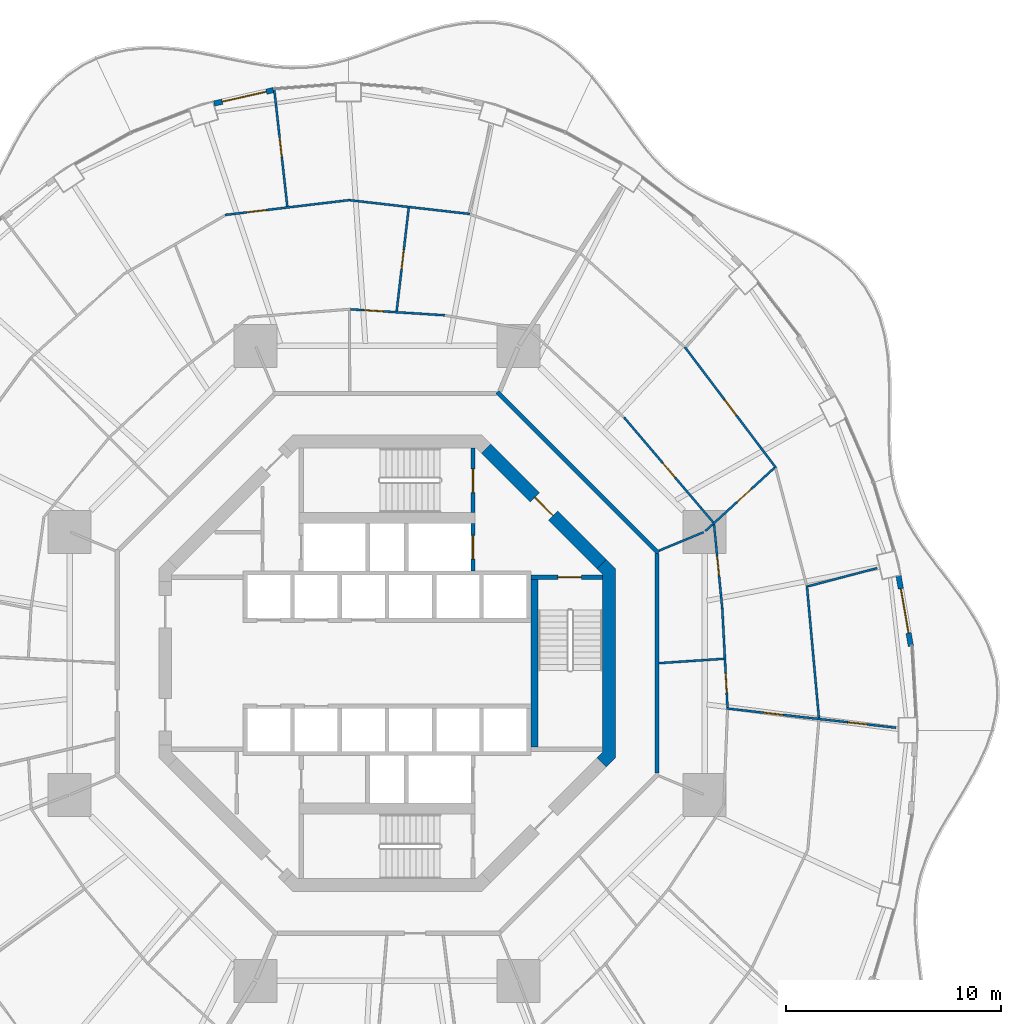
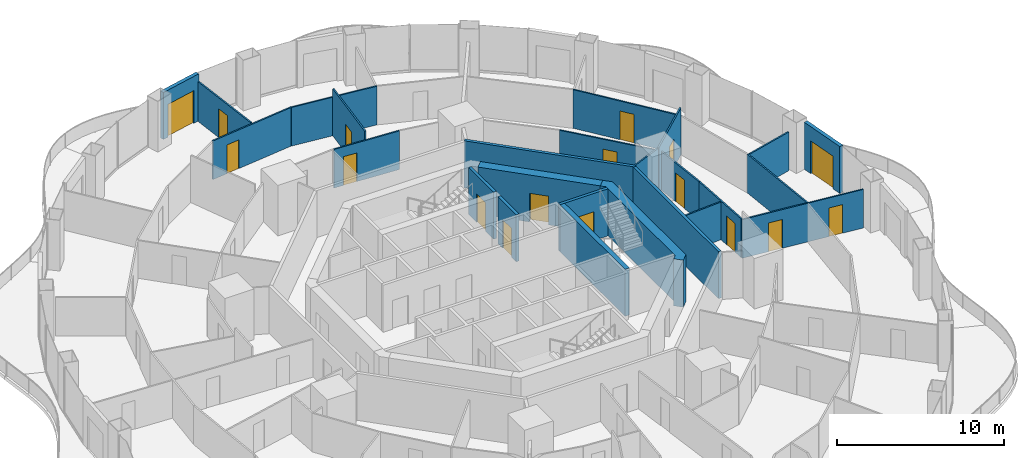
# One storey, part 16 of 20: 25 walls, 17 doors, 17 openings.
"""IFC4 building model written with IfcOpenShell, lengths in metres."""

from ifc_helpers import new_model, si_unit, direction, frame, frame_2d, origin, place, context, subcontext, project, spatial, polyline, rectangle, outline, extrude, material, layer, layer_set, type_object, element, fill, save


model = new_model("IFC4")

# Units and contexts
model_context = context("Model", 3, precision=1e-05, world=origin(), true_north=direction((0.0, 1.0)))
body_context = subcontext(model_context, "Body", "Model", "MODEL_VIEW")
ifc_project = project(units=[si_unit("LENGTHUNIT", "METRE"), si_unit("AREAUNIT", "SQUARE_METRE"), si_unit("VOLUMEUNIT", "CUBIC_METRE"), si_unit("PLANEANGLEUNIT", "RADIAN"), si_unit("MASSUNIT", "GRAM", prefix="KILO")], contexts=[model_context])

# Site, building, storey
site_placement = place(None, origin())
site = spatial("IfcSite", under=ifc_project, at=site_placement, CompositionType="ELEMENT")
building_placement = place(site_placement, origin())
building = spatial("IfcBuilding", under=site, at=building_placement, Name="Nagisa Residences", CompositionType="ELEMENT")
storey_placement = place(building_placement, frame((0.0, 0.0, 145.5)))
storey = spatial("IfcBuildingStorey", under=building, at=storey_placement, Name="L36", CompositionType="ELEMENT", Elevation=145.5)

# Walls
ifc_material_1 = material(Name="Gypsum board on steel studs", Category="steel")
ifc_layer_1 = layer(ifc_material_1, 0.199951171875)
ifc_layer_set_1 = layer_set([ifc_layer_1], Name="Apartment entry wall EI60 200")
wall_type_1 = type_object("IfcWallType", Name="Apartment entry wall EI60 200", PredefinedType="PARTITIONING", material=ifc_layer_set_1)
wall_1_placement = place(storey_placement, frame((12.564697265625, -5.1044921875, 0.0), z_axis=(0.0, 0.0, 1.0), x_axis=(0.0, 1.0, 0.0)))
element("IfcWall", 1, at=wall_1_placement, inside=storey, type_object=wall_type_1, Name="wall:L36:u04", PredefinedType="PARTITIONING", context=body_context, shape_type="SweptSolid", body=[
    extrude(rectangle(XDim=10.208984375, YDim=0.199951171875, at=frame_2d((5.1044921875, 0.0))), origin(), (0.0, 0.0, 1.0), 3.43994140625),
])
wall_2_placement = place(storey_placement, frame((12.635498046875, 5.1337890625, 0.0), z_axis=(0.0, 0.0, 1.0), x_axis=(-0.707106781187, 0.707106781187, 0.0)))
element("IfcWall", 2, at=wall_2_placement, inside=storey, type_object=wall_type_1, Name="wall:L36:u05", PredefinedType="PARTITIONING", context=body_context, shape_type="SweptSolid", body=[
    extrude(rectangle(XDim=10.609130859375, YDim=0.199951171875, at=frame_2d((5.3046875, 0.0))), origin(), (0.0, 0.0, 1.0), 3.43994140625),
])

# Wall, openings, doors
ifc_material_2 = material(Name="Gypsum board on steel studs", Category="steel")
ifc_layer_2 = layer(ifc_material_2, 0.10009765625)
ifc_layer_set_2 = layer_set([ifc_layer_2], Name="Apartment partition 100")
wall_type_2 = type_object("IfcWallType", Name="Apartment partition 100", PredefinedType="PARTITIONING", material=ifc_layer_set_2)
wall_3_placement = place(storey_placement, frame((15.801025390625, -2.1025390625, 0.0), z_axis=(0.0, 0.0, 1.0), x_axis=(0.993607212763, -0.112892456544, 0.0)))
wall_3 = element("IfcWall", 3, at=wall_3_placement, inside=storey, type_object=wall_type_2, Name="wall:L36:u12", PredefinedType="PARTITIONING", context=body_context, shape_type="SweptSolid", body=[
    extrude(rectangle(XDim=7.947509765625, YDim=0.10009765625, at=frame_2d((3.9736328125, 0.0))), origin(), (0.0, 0.0, 1.0), 2.827880859375),
])
opening_1_placement = place(wall_3_placement, frame((1.743408203125, 0.0, 0.0)))
opening_1 = element("IfcOpeningElement", 4, at=opening_1_placement, cuts=wall_3, Name="Opening L36-U09", PredefinedType="OPENING", context=body_context, shape_type="SweptSolid", body=[
    extrude(rectangle(XDim=0.89990234375, YDim=2.10009765625, at=frame_2d((0.449951171875, 1.050048828125))), frame((0.0, 0.06005859375, 0.0), z_axis=(0.0, -1.0, 0.0), x_axis=(1.0, 0.0, 0.0)), (0.0, 0.0, 1.0), 0.1201171875),
])
opening_2_placement = place(wall_3_placement, frame((5.6923828125, 0.0, 0.0)))
opening_2 = element("IfcOpeningElement", 5, at=opening_2_placement, cuts=wall_3, Name="Opening L36-U17", PredefinedType="OPENING", context=body_context, shape_type="SweptSolid", body=[
    extrude(rectangle(XDim=0.89990234375, YDim=2.10009765625, at=frame_2d((0.449951171875, 1.050048828125))), frame((0.0, 0.06005859375, 0.0), z_axis=(0.0, -1.0, 0.0), x_axis=(1.0, 0.0, 0.0)), (0.0, 0.0, 1.0), 0.1201171875),
])
ifc_material_3 = material(Name="Timber door set", Category="wood")
door_type_1 = type_object("IfcDoorType", Name="Apartment door 900x2100", OperationType="NOTDEFINED", PredefinedType="DOOR", material=ifc_material_3)
door_1_placement = place(opening_1_placement, origin())
door_1 = element("IfcDoor", 6, at=door_1_placement, inside=storey, type_object=door_type_1, Name="Door to kitchen, Apartment 36A", OperationType="SINGLE_SWING_LEFT", OverallHeight=2.10009765625, OverallWidth=0.89990234375, PredefinedType="DOOR", context=body_context, shape_type="SweptSolid", body=[
    extrude(rectangle(XDim=0.89990234375, YDim=2.10009765625, at=frame_2d((0.449951171875, 1.050048828125))), frame((0.0, 0.02490234375, 0.0), z_axis=(0.0, -1.0, 0.0), x_axis=(1.0, 0.0, 0.0)), (0.0, 0.0, 1.0), 0.050048828125),
])
fill(opening_1, door_1)
door_2_placement = place(opening_2_placement, origin())
door_2 = element("IfcDoor", 7, at=door_2_placement, inside=storey, type_object=door_type_1, Name="Door to bedroom, Apartment 36A", OperationType="SINGLE_SWING_LEFT", OverallHeight=2.10009765625, OverallWidth=0.89990234375, PredefinedType="DOOR", context=body_context, shape_type="SweptSolid", body=[
    extrude(rectangle(XDim=0.89990234375, YDim=2.10009765625, at=frame_2d((0.449951171875, 1.050048828125))), frame((0.0, 0.02490234375, 0.0), z_axis=(0.0, -1.0, 0.0), x_axis=(1.0, 0.0, 0.0)), (0.0, 0.0, 1.0), 0.050048828125),
])
fill(opening_2, door_2)

# Wall, opening, door
wall_4_placement = place(storey_placement, frame((15.84814453125, -2.058349609375, 0.0), z_axis=(0.0, 0.0, 1.0), x_axis=(-0.052509224895, 0.998620439056, 0.0)))
wall_4 = element("IfcWall", 8, at=wall_4_placement, inside=storey, type_object=wall_type_2, Name="wall:L36:u13", PredefinedType="PARTITIONING", context=body_context, shape_type="SweptSolid", body=[
    extrude(rectangle(XDim=4.6494140625, YDim=0.10009765625, at=frame_2d((2.32470703125, 0.0))), origin(), (0.0, 0.0, 1.0), 2.827880859375),
])
opening_3_placement = place(wall_4_placement, frame((0.687255859375, 0.0, 0.0)))
opening_3 = element("IfcOpeningElement", 9, at=opening_3_placement, cuts=wall_4, Name="Opening L36-U22", PredefinedType="OPENING", context=body_context, shape_type="SweptSolid", body=[
    extrude(rectangle(XDim=0.89990234375, YDim=2.10009765625, at=frame_2d((0.449951171875, 1.050048828125))), frame((0.0, 0.06005859375, 0.0), z_axis=(0.0, -1.0, 0.0), x_axis=(1.0, 0.0, 0.0)), (0.0, 0.0, 1.0), 0.1201171875),
])
door_3_placement = place(opening_3_placement, origin())
door_3 = element("IfcDoor", 10, at=door_3_placement, inside=storey, type_object=door_type_1, Name="Door to laundry, Apartment 36A", OperationType="SINGLE_SWING_RIGHT", OverallHeight=2.10009765625, OverallWidth=0.89990234375, PredefinedType="DOOR", context=body_context, shape_type="SweptSolid", body=[
    extrude(rectangle(XDim=0.89990234375, YDim=2.10009765625, at=frame_2d((0.449951171875, 1.050048828125))), frame((0.0, 0.02490234375, 0.0), z_axis=(0.0, -1.0, 0.0), x_axis=(1.0, 0.0, 0.0)), (0.0, 0.0, 1.0), 0.050048828125),
])
fill(opening_3, door_3)

# Walls
wall_5_placement = place(storey_placement, frame((20.105712890625, -2.54248046875, 0.0), z_axis=(0.0, 0.0, 1.0), x_axis=(-0.090567755363, 0.995890296011, 0.0)))
element("IfcWall", 11, at=wall_5_placement, inside=storey, type_object=wall_type_2, Name="wall:L36:u15", PredefinedType="PARTITIONING", context=body_context, shape_type="SweptSolid", body=[
    extrude(rectangle(XDim=6.189208984375, YDim=0.10009765625, at=frame_2d((3.0947265625, 0.0))), origin(), (0.0, 0.0, 1.0), 2.827880859375),
])
wall_6_placement = place(storey_placement, frame((12.66455078125, 0.0068359375, 0.0), z_axis=(0.0, 0.0, 1.0), x_axis=(0.997736982365, 0.067237742534, 0.0)))
element("IfcWall", 12, at=wall_6_placement, inside=storey, type_object=wall_type_2, Name="wall:L36:u17", PredefinedType="PARTITIONING", context=body_context, shape_type="SweptSolid", body=[
    extrude(rectangle(XDim=3.02099609375, YDim=0.10009765625, at=frame_2d((1.510498046875, 0.0))), origin(), (0.0, 0.0, 1.0), 2.756103515625),
])

# Wall, opening, door
wall_7_placement = place(storey_placement, frame((15.601806640625, 2.58447265625, 0.0), z_axis=(0.0, 0.0, 1.0), x_axis=(-0.097207196705, 0.995264166394, 0.0)))
wall_7 = element("IfcWall", 13, at=wall_7_placement, inside=storey, type_object=wall_type_2, Name="wall:L36:u18", PredefinedType="PARTITIONING", context=body_context, shape_type="SweptSolid", body=[
    extrude(rectangle(XDim=3.905517578125, YDim=0.10009765625, at=frame_2d((1.95263671875, 0.0))), origin(), (0.0, 0.0, 1.0), 2.827880859375),
])
opening_4_placement = place(wall_7_placement, frame((1.502685546875, 0.0, 0.0)))
opening_4 = element("IfcOpeningElement", 14, at=opening_4_placement, cuts=wall_7, Name="Opening L36-U23", PredefinedType="OPENING", context=body_context, shape_type="SweptSolid", body=[
    extrude(rectangle(XDim=0.89990234375, YDim=2.10009765625, at=frame_2d((0.449951171875, 1.050048828125))), frame((0.0, 0.06005859375, 0.0), z_axis=(0.0, -1.0, 0.0), x_axis=(1.0, 0.0, 0.0)), (0.0, 0.0, 1.0), 0.1201171875),
])
door_4_placement = place(opening_4_placement, origin())
door_4 = element("IfcDoor", 15, at=door_4_placement, inside=storey, type_object=door_type_1, Name="Door to store, Apartment 36A", OperationType="SINGLE_SWING_LEFT", OverallHeight=2.10009765625, OverallWidth=0.89990234375, PredefinedType="DOOR", context=body_context, shape_type="SweptSolid", body=[
    extrude(rectangle(XDim=0.89990234375, YDim=2.10009765625, at=frame_2d((0.449951171875, 1.050048828125))), frame((0.0, 0.02490234375, 0.0), z_axis=(0.0, -1.0, 0.0), x_axis=(1.0, 0.0, 0.0)), (0.0, 0.0, 1.0), 0.050048828125),
])
fill(opening_4, door_4)

# Walls
wall_8_placement = place(storey_placement, frame((19.59814453125, 3.584228515625, 0.0), z_axis=(0.0, 0.0, 1.0), x_axis=(0.967108750962, 0.254363251695, 0.0)))
element("IfcWall", 16, at=wall_8_placement, inside=storey, type_object=wall_type_2, Name="wall:L36:u19", PredefinedType="PARTITIONING", context=body_context, shape_type="SweptSolid", body=[
    extrude(rectangle(XDim=3.32666015625, YDim=0.10009765625, at=frame_2d((1.663330078125, 0.0))), origin(), (0.0, 0.0, 1.0), 2.827880859375),
])
wall_9_placement = place(storey_placement, frame((12.6572265625, 5.24267578125, 0.0), z_axis=(0.0, 0.0, 1.0), x_axis=(0.923848837015, 0.382757529444, 0.0)))
element("IfcWall", 17, at=wall_9_placement, inside=storey, type_object=wall_type_2, Name="wall:L36:u21", PredefinedType="PARTITIONING", context=body_context, shape_type="SweptSolid", body=[
    extrude(rectangle(XDim=2.249755859375, YDim=0.10009765625, at=frame_2d((1.125, 0.0))), origin(), (0.0, 0.0, 1.0), 3.43994140625),
])

# Wall, opening, door
wall_10_placement = place(storey_placement, frame((14.81884765625, 6.15673828125, 0.0), z_axis=(0.0, 0.0, 1.0), x_axis=(0.737620514432, 0.675215503887, 0.0)))
wall_10 = element("IfcWall", 18, at=wall_10_placement, inside=storey, type_object=wall_type_2, Name="wall:L36:u22", PredefinedType="PARTITIONING", context=body_context, shape_type="SweptSolid", body=[
    extrude(rectangle(XDim=4.365966796875, YDim=0.10009765625, at=frame_2d((2.18310546875, 0.0))), origin(), (0.0, 0.0, 1.0), 3.43994140625),
])
opening_5_placement = place(wall_10_placement, frame((2.0029296875, 0.0, 0.0)))
opening_5 = element("IfcOpeningElement", 19, at=opening_5_placement, cuts=wall_10, Name="Opening L36-U10", PredefinedType="OPENING", context=body_context, shape_type="SweptSolid", body=[
    extrude(rectangle(XDim=0.89990234375, YDim=2.10009765625, at=frame_2d((0.449951171875, 1.050048828125))), frame((0.0, 0.06005859375, 0.0), z_axis=(0.0, -1.0, 0.0), x_axis=(1.0, 0.0, 0.0)), (0.0, 0.0, 1.0), 0.1201171875),
])
door_5_placement = place(opening_5_placement, origin())
door_5 = element("IfcDoor", 20, at=door_5_placement, inside=storey, type_object=door_type_1, Name="Door to family room, Apartment 36A", OperationType="SINGLE_SWING_RIGHT", OverallHeight=2.10009765625, OverallWidth=0.89990234375, PredefinedType="DOOR", context=body_context, shape_type="SweptSolid", body=[
    extrude(rectangle(XDim=0.89990234375, YDim=2.10009765625, at=frame_2d((0.449951171875, 1.050048828125))), frame((0.0, 0.02490234375, 0.0), z_axis=(0.0, -1.0, 0.0), x_axis=(1.0, 0.0, 0.0)), (0.0, 0.0, 1.0), 0.050048828125),
])
fill(opening_5, door_5)

wall_11_placement = place(storey_placement, frame((15.184814453125, 6.559326171875, 0.0), z_axis=(0.0, 0.0, 1.0), x_axis=(-0.647361044962, 0.762183493304, 0.0)))
wall_11 = element("IfcWall", 21, at=wall_11_placement, inside=storey, type_object=wall_type_2, Name="wall:L36:u23", PredefinedType="PARTITIONING", context=body_context, shape_type="SweptSolid", body=[
    extrude(rectangle(XDim=6.412841796875, YDim=0.10009765625, at=frame_2d((3.20654296875, 0.0))), origin(), (0.0, 0.0, 1.0), 2.827880859375),
])
opening_6_placement = place(wall_11_placement, frame((2.731201171875, 0.0, 0.0)))
opening_6 = element("IfcOpeningElement", 22, at=opening_6_placement, cuts=wall_11, Name="Opening L36-U24", PredefinedType="OPENING", context=body_context, shape_type="SweptSolid", body=[
    extrude(rectangle(XDim=0.89990234375, YDim=2.10009765625, at=frame_2d((0.449951171875, 1.050048828125))), frame((0.0, 0.06005859375, 0.0), z_axis=(0.0, -1.0, 0.0), x_axis=(1.0, 0.0, 0.0)), (0.0, 0.0, 1.0), 0.1201171875),
])
door_6_placement = place(opening_6_placement, origin())
door_6 = element("IfcDoor", 23, at=door_6_placement, inside=storey, type_object=door_type_1, Name="Door to laundry, Apartment 36A", OperationType="SINGLE_SWING_RIGHT", OverallHeight=2.10009765625, OverallWidth=0.89990234375, PredefinedType="DOOR", context=body_context, shape_type="SweptSolid", body=[
    extrude(rectangle(XDim=0.89990234375, YDim=2.10009765625, at=frame_2d((0.449951171875, 1.050048828125))), frame((0.0, 0.02490234375, 0.0), z_axis=(0.0, -1.0, 0.0), x_axis=(1.0, 0.0, 0.0)), (0.0, 0.0, 1.0), 0.050048828125),
])
fill(opening_6, door_6)

wall_12_placement = place(storey_placement, frame((18.106201171875, 9.098388671875, 0.0), z_axis=(0.0, 0.0, 1.0), x_axis=(-0.602398572907, 0.798195439325, 0.0)))
wall_12 = element("IfcWall", 24, at=wall_12_placement, inside=storey, type_object=wall_type_2, Name="wall:L36:u24", PredefinedType="PARTITIONING", context=body_context, shape_type="SweptSolid", body=[
    extrude(rectangle(XDim=7.043701171875, YDim=0.10009765625, at=frame_2d((3.52197265625, 0.0))), origin(), (0.0, 0.0, 1.0), 2.827880859375),
])
opening_7_placement = place(wall_12_placement, frame((3.072021484375, 0.0, 0.0)))
opening_7 = element("IfcOpeningElement", 25, at=opening_7_placement, cuts=wall_12, Name="Opening L36-U18", PredefinedType="OPENING", context=body_context, shape_type="SweptSolid", body=[
    extrude(rectangle(XDim=0.89990234375, YDim=2.10009765625, at=frame_2d((0.449951171875, 1.050048828125))), frame((0.0, 0.06005859375, 0.0), z_axis=(0.0, -1.0, 0.0), x_axis=(1.0, 0.0, 0.0)), (0.0, 0.0, 1.0), 0.1201171875),
])
door_7_placement = place(opening_7_placement, frame((0.89990234375, 0.0, 0.0), x_axis=(-1.0, 0.0, 0.0)))
door_7 = element("IfcDoor", 26, at=door_7_placement, inside=storey, type_object=door_type_1, Name="Door to living room, Apartment 36A", OperationType="SINGLE_SWING_LEFT", OverallHeight=2.10009765625, OverallWidth=0.89990234375, PredefinedType="DOOR", context=body_context, shape_type="SweptSolid", body=[
    extrude(rectangle(XDim=0.89990234375, YDim=2.10009765625, at=frame_2d((0.449951171875, 1.050048828125))), frame((0.0, 0.02490234375, 0.0), z_axis=(0.0, -1.0, 0.0), x_axis=(1.0, 0.0, 0.0)), (0.0, 0.0, 1.0), 0.050048828125),
])
fill(opening_7, door_7)

wall_13_placement = place(storey_placement, frame((2.6845703125, 16.2021484375, 0.0), z_axis=(0.0, 0.0, 1.0), x_axis=(-0.998000808042, 0.063201164138, 0.0)))
wall_13 = element("IfcWall", 27, at=wall_13_placement, inside=storey, type_object=wall_type_2, Name="wall:L36:u30", PredefinedType="PARTITIONING", context=body_context, shape_type="SweptSolid", body=[
    extrude(rectangle(XDim=4.39599609375, YDim=0.10009765625, at=frame_2d((2.197998046875, 0.0))), origin(), (0.0, 0.0, 1.0), 2.827880859375),
])
opening_8_placement = place(wall_13_placement, frame((2.8720703125, 0.0, 0.0)))
opening_8 = element("IfcOpeningElement", 28, at=opening_8_placement, cuts=wall_13, Name="Opening L36-U45", PredefinedType="OPENING", context=body_context, shape_type="SweptSolid", body=[
    extrude(rectangle(XDim=0.89990234375, YDim=2.10009765625, at=frame_2d((0.449951171875, 1.050048828125))), frame((0.0, 0.06005859375, 0.0), z_axis=(0.0, -1.0, 0.0), x_axis=(1.0, 0.0, 0.0)), (0.0, 0.0, 1.0), 0.1201171875),
])
door_8_placement = place(opening_8_placement, origin())
door_8 = element("IfcDoor", 29, at=door_8_placement, inside=storey, type_object=door_type_1, Name="Door to store, Apartment 36B", OperationType="SINGLE_SWING_LEFT", OverallHeight=2.10009765625, OverallWidth=0.89990234375, PredefinedType="DOOR", context=body_context, shape_type="SweptSolid", body=[
    extrude(rectangle(XDim=0.89990234375, YDim=2.10009765625, at=frame_2d((0.449951171875, 1.050048828125))), frame((0.0, 0.02490234375, 0.0), z_axis=(0.0, -1.0, 0.0), x_axis=(1.0, 0.0, 0.0)), (0.0, 0.0, 1.0), 0.050048828125),
])
fill(opening_8, door_8)

# Wall
wall_14_placement = place(storey_placement, frame((3.850830078125, 20.9189453125, 0.0), z_axis=(0.0, 0.0, 1.0), x_axis=(-0.993519908136, 0.11365822512, 0.0)))
element("IfcWall", 30, at=wall_14_placement, inside=storey, type_object=wall_type_2, Name="wall:L36:u32", PredefinedType="PARTITIONING", context=body_context, shape_type="SweptSolid", body=[
    extrude(rectangle(XDim=5.61279296875, YDim=0.10009765625, at=frame_2d((2.806396484375, 0.0))), origin(), (0.0, 0.0, 1.0), 2.827880859375),
])

# Wall, opening, door
wall_15_placement = place(storey_placement, frame((0.447021484375, 16.393798828125, 0.0), z_axis=(0.0, 0.0, 1.0), x_axis=(0.11594133888, 0.993256062624, 0.0)))
wall_15 = element("IfcWall", 31, at=wall_15_placement, inside=storey, type_object=wall_type_2, Name="wall:L36:u33", PredefinedType="PARTITIONING", context=body_context, shape_type="SweptSolid", body=[
    extrude(rectangle(XDim=4.83251953125, YDim=0.10009765625, at=frame_2d((2.416259765625, 0.0))), origin(), (0.0, 0.0, 1.0), 3.43994140625),
])
opening_9_placement = place(wall_15_placement, frame((1.96630859375, 0.0, 0.0)))
opening_9 = element("IfcOpeningElement", 32, at=opening_9_placement, cuts=wall_15, Name="Opening L36-U47", PredefinedType="OPENING", context=body_context, shape_type="SweptSolid", body=[
    extrude(rectangle(XDim=0.89990234375, YDim=2.10009765625, at=frame_2d((0.449951171875, 1.050048828125))), frame((0.0, 0.06005859375, 0.0), z_axis=(0.0, -1.0, 0.0), x_axis=(1.0, 0.0, 0.0)), (0.0, 0.0, 1.0), 0.1201171875),
])
door_9_placement = place(opening_9_placement, frame((0.89990234375, 0.0, 0.0), x_axis=(-1.0, 0.0, 0.0)))
door_9 = element("IfcDoor", 33, at=door_9_placement, inside=storey, type_object=door_type_1, Name="Door to study, Apartment 36B", OperationType="SINGLE_SWING_RIGHT", OverallHeight=2.10009765625, OverallWidth=0.89990234375, PredefinedType="DOOR", context=body_context, shape_type="SweptSolid", body=[
    extrude(rectangle(XDim=0.89990234375, YDim=2.10009765625, at=frame_2d((0.449951171875, 1.050048828125))), frame((0.0, 0.02490234375, 0.0), z_axis=(0.0, -1.0, 0.0), x_axis=(1.0, 0.0, 0.0)), (0.0, 0.0, 1.0), 0.050048828125),
])
fill(opening_9, door_9)

wall_16_placement = place(storey_placement, frame((-1.7255859375, 21.568359375, 0.0), z_axis=(0.0, 0.0, 1.0), x_axis=(-0.992919121049, -0.11879233584, 0.0)))
wall_16 = element("IfcWall", 34, at=wall_16_placement, inside=storey, type_object=wall_type_2, Name="wall:L36:u36", PredefinedType="PARTITIONING", context=body_context, shape_type="SweptSolid", body=[
    extrude(rectangle(XDim=5.865478515625, YDim=0.10009765625, at=frame_2d((2.9326171875, 0.0))), origin(), (0.0, 0.0, 1.0), 2.827880859375),
])
opening_10_placement = place(wall_16_placement, frame((3.924072265625, 0.0, 0.0)))
opening_10 = element("IfcOpeningElement", 35, at=opening_10_placement, cuts=wall_16, Name="Opening L36-U43", PredefinedType="OPENING", context=body_context, shape_type="SweptSolid", body=[
    extrude(rectangle(XDim=0.89990234375, YDim=2.10009765625, at=frame_2d((0.449951171875, 1.050048828125))), frame((0.0, 0.06005859375, 0.0), z_axis=(0.0, -1.0, 0.0), x_axis=(1.0, 0.0, 0.0)), (0.0, 0.0, 1.0), 0.1201171875),
])
door_10_placement = place(opening_10_placement, origin())
door_10 = element("IfcDoor", 36, at=door_10_placement, inside=storey, type_object=door_type_1, Name="Door to family room, Apartment 36B", OperationType="SINGLE_SWING_LEFT", OverallHeight=2.10009765625, OverallWidth=0.89990234375, PredefinedType="DOOR", context=body_context, shape_type="SweptSolid", body=[
    extrude(rectangle(XDim=0.89990234375, YDim=2.10009765625, at=frame_2d((0.449951171875, 1.050048828125))), frame((0.0, 0.02490234375, 0.0), z_axis=(0.0, -1.0, 0.0), x_axis=(1.0, 0.0, 0.0)), (0.0, 0.0, 1.0), 0.050048828125),
])
fill(opening_10, door_10)

wall_17_placement = place(storey_placement, frame((-4.64306640625, 21.269775390625, 0.0), z_axis=(0.0, 0.0, 1.0), x_axis=(-0.11110818383, 0.993808317276, 0.0)))
wall_17 = element("IfcWall", 37, at=wall_17_placement, inside=storey, type_object=wall_type_2, Name="wall:L36:u37", PredefinedType="PARTITIONING", context=body_context, shape_type="SweptSolid", body=[
    extrude(rectangle(XDim=5.5439453125, YDim=0.10009765625, at=frame_2d((2.77197265625, 0.0))), origin(), (0.0, 0.0, 1.0), 2.905029296875),
])
opening_11_placement = place(wall_17_placement, frame((2.322021484375, 0.0, 0.0)))
opening_11 = element("IfcOpeningElement", 38, at=opening_11_placement, cuts=wall_17, Name="Opening L36-U44", PredefinedType="OPENING", context=body_context, shape_type="SweptSolid", body=[
    extrude(rectangle(XDim=0.89990234375, YDim=2.10009765625, at=frame_2d((0.449951171875, 1.050048828125))), frame((0.0, 0.06005859375, 0.0), z_axis=(0.0, -1.0, 0.0), x_axis=(1.0, 0.0, 0.0)), (0.0, 0.0, 1.0), 0.1201171875),
])
door_11_placement = place(opening_11_placement, frame((0.89990234375, 0.0, 0.0), x_axis=(-1.0, 0.0, 0.0)))
door_11 = element("IfcDoor", 39, at=door_11_placement, inside=storey, type_object=door_type_1, Name="Door to master bedroom, Apartment 36B", OperationType="SINGLE_SWING_LEFT", OverallHeight=2.10009765625, OverallWidth=0.89990234375, PredefinedType="DOOR", context=body_context, shape_type="SweptSolid", body=[
    extrude(rectangle(XDim=0.89990234375, YDim=2.10009765625, at=frame_2d((0.449951171875, 1.050048828125))), frame((0.0, 0.02490234375, 0.0), z_axis=(0.0, -1.0, 0.0), x_axis=(1.0, 0.0, 0.0)), (0.0, 0.0, 1.0), 0.050048828125),
])
fill(opening_11, door_11)

ifc_material_4 = material(Name="Precast concrete C40/50", Category="concrete")
ifc_layer_3 = layer(ifc_material_4, 0.25)
ifc_layer_set_3 = layer_set([ifc_layer_3], Name="BALCONY DOOR WALL 250")
wall_type_3 = type_object("IfcWallType", Name="BALCONY DOOR WALL 250", PredefinedType="SOLIDWALL", material=ifc_layer_set_3)
wall_18_placement = place(storey_placement, frame((23.81103515625, 4.084716796875, 0.0), z_axis=(0.0, 0.0, 1.0), x_axis=(0.172163521006, -0.985068384446, 0.0)))
wall_18 = element("IfcWall", 40, at=wall_18_placement, inside=storey, type_object=wall_type_3, Name="wall:L36:bay01", PredefinedType="SOLIDWALL", context=body_context, shape_type="SweptSolid", body=[
    extrude(rectangle(XDim=3.33251953125, YDim=0.25, at=frame_2d((1.666259765625, 0.0))), origin(), (0.0, 0.0, 1.0), 3.43994140625),
])
opening_12_placement = place(wall_18_placement, frame((0.6162109375, 0.0, 0.0)))
opening_12 = element("IfcOpeningElement", 41, at=opening_12_placement, cuts=wall_18, Name="Opening BD-L36-01", PredefinedType="OPENING", context=body_context, shape_type="SweptSolid", body=[
    extrude(rectangle(XDim=2.10009765625, YDim=2.39990234375, at=frame_2d((1.050048828125, 1.199951171875))), frame((0.0, 0.135009765625, 0.0), z_axis=(0.0, -1.0, 0.0), x_axis=(1.0, 0.0, 0.0)), (0.0, 0.0, 1.0), 0.27001953125),
])
ifc_material_5 = material(Name="Aluminium and clear glass", Category="aluminium")
door_type_2 = type_object("IfcDoorType", Name="BALCONY SLIDING DOOR 2100x2400", OperationType="SLIDING_TO_LEFT", PredefinedType="DOOR", material=ifc_material_5)
door_12_placement = place(opening_12_placement, origin())
door_12 = element("IfcDoor", 42, at=door_12_placement, inside=storey, type_object=door_type_2, Name="door:L36:bay01", OperationType="SLIDING_TO_LEFT", OverallHeight=2.39990234375, OverallWidth=2.10009765625, PredefinedType="DOOR", context=body_context, shape_type="SweptSolid", body=[
    extrude(rectangle(XDim=2.10009765625, YDim=2.39990234375, at=frame_2d((1.050048828125, 1.199951171875))), frame((0.0, 0.02490234375, 0.0), z_axis=(0.0, -1.0, 0.0), x_axis=(1.0, 0.0, 0.0)), (0.0, 0.0, 1.0), 0.050048828125),
])
fill(opening_12, door_12)

wall_19_placement = place(storey_placement, frame((-8.054931640625, 26.05908203125, 0.0), z_axis=(0.0, 0.0, 1.0), x_axis=(0.975339035722, 0.220711951186, 0.0)))
wall_19 = element("IfcWall", 43, at=wall_19_placement, inside=storey, type_object=wall_type_3, Name="wall:L36:bay13", PredefinedType="SOLIDWALL", context=body_context, shape_type="SweptSolid", body=[
    extrude(rectangle(XDim=2.890380859375, YDim=0.25, at=frame_2d((1.4453125, 0.0))), origin(), (0.0, 0.0, 1.0), 3.43994140625),
])
opening_13_placement = place(wall_19_placement, frame((0.395263671875, 0.0, 0.0)))
opening_13 = element("IfcOpeningElement", 44, at=opening_13_placement, cuts=wall_19, Name="Opening BD-L36-05", PredefinedType="OPENING", context=body_context, shape_type="SweptSolid", body=[
    extrude(rectangle(XDim=2.10009765625, YDim=2.39990234375, at=frame_2d((1.050048828125, 1.199951171875))), frame((0.0, 0.135009765625, 0.0), z_axis=(0.0, -1.0, 0.0), x_axis=(1.0, 0.0, 0.0)), (0.0, 0.0, 1.0), 0.27001953125),
])
door_13_placement = place(opening_13_placement, origin())
door_13 = element("IfcDoor", 45, at=door_13_placement, inside=storey, type_object=door_type_2, Name="door:L36:bay13", OperationType="SLIDING_TO_LEFT", OverallHeight=2.39990234375, OverallWidth=2.10009765625, PredefinedType="DOOR", context=body_context, shape_type="SweptSolid", body=[
    extrude(rectangle(XDim=2.10009765625, YDim=2.39990234375, at=frame_2d((1.050048828125, 1.199951171875))), frame((0.0, 0.02490234375, 0.0), z_axis=(0.0, -1.0, 0.0), x_axis=(1.0, 0.0, 0.0)), (0.0, 0.0, 1.0), 0.050048828125),
])
fill(opening_13, door_13)

ifc_material_6 = material(Name="Concrete C60", Category="concrete")
ifc_layer_4 = layer(ifc_material_6, 0.60009765625)
ifc_layer_set_4 = layer_set([ifc_layer_4], Name="Core shear wall 600")
wall_type_4 = type_object("IfcWallType", Name="Core shear wall 600", PredefinedType="SHEAR", material=ifc_layer_set_4)
wall_20_placement = place(storey_placement, frame((9.98828125, 4.613037109375, 0.0), z_axis=(0.0, 0.0, 1.0), x_axis=(-0.707106781187, 0.707106781187, 0.0)))
wall_20 = element("IfcWall", 46, at=wall_20_placement, inside=storey, type_object=wall_type_4, Name="wall:L36:core:flat1", PredefinedType="SHEAR", context=body_context, shape_type="SweptSolid", body=[
    extrude(rectangle(XDim=7.601806640625, YDim=0.60009765625, at=frame_2d((3.80078125, 0.0))), origin(), (0.0, 0.0, 1.0), 3.43994140625),
])
opening_14_placement = place(wall_20_placement, frame((3.200927734375, 0.0, 0.0)))
opening_14 = element("IfcOpeningElement", 47, at=opening_14_placement, cuts=wall_20, Name="Opening L36-C16", PredefinedType="OPENING", context=body_context, shape_type="SweptSolid", body=[
    extrude(rectangle(XDim=1.199951171875, YDim=2.10009765625, at=frame_2d((0.60009765625, 1.050048828125))), frame((0.0, 0.31005859375, 0.0), z_axis=(0.0, -1.0, 0.0), x_axis=(1.0, 0.0, 0.0)), (0.0, 0.0, 1.0), 0.6201171875),
])
ifc_material_7 = material(Name="Steel fire door", Category="steel")
door_type_3 = type_object("IfcDoorType", Name="Fire door EI60 1200x2100 single swing", OperationType="NOTDEFINED", PredefinedType="DOOR", material=ifc_material_7)
door_14_placement = place(opening_14_placement, origin())
door_14 = element("IfcDoor", 48, at=door_14_placement, inside=storey, type_object=door_type_3, Name="Firefighting lobby 1 door L36", OperationType="SINGLE_SWING_LEFT", OverallHeight=2.10009765625, OverallWidth=1.199951171875, PredefinedType="DOOR", context=body_context, shape_type="SweptSolid", body=[
    extrude(rectangle(XDim=1.199951171875, YDim=2.10009765625, at=frame_2d((0.60009765625, 1.050048828125))), frame((0.0, 0.02490234375, 0.0), z_axis=(0.0, -1.0, 0.0), x_axis=(1.0, 0.0, 0.0)), (0.0, 0.0, 1.0), 0.050048828125),
])
fill(opening_14, door_14)

# Wall
wall_21_placement = place(storey_placement, origin())
element("IfcWall", 49, at=wall_21_placement, inside=storey, type_object=wall_type_4, Name="wall:L36:core:flat0", PredefinedType="SHEAR", context=body_context, shape_type="SweptSolid", body=[
    extrude(outline(polyline([(9.776123046875, -4.40087890625), (10.024658203125, -4.15234375), (10.024658203125, -3.801025390625), (10.024658203125, 4.15234375), (9.776123046875, 4.40087890625), (10.200439453125, 4.8251953125), (10.62451171875, 4.40087890625), (10.62451171875, -4.40087890625), (10.200439453125, -4.8251953125), (9.776123046875, -4.40087890625)])), origin(), (0.0, 0.0, 1.0), 3.43994140625),
])

# Wall, opening, door
ifc_material_8 = material(Name="Concrete C60", Category="concrete")
ifc_layer_5 = layer(ifc_material_8, 0.199951171875)
ifc_layer_set_5 = layer_set([ifc_layer_5], Name="Lift shaft wall 200")
wall_type_5 = type_object("IfcWallType", Name="Lift shaft wall 200", PredefinedType="SOLIDWALL", material=ifc_layer_set_5)
wall_22_placement = place(storey_placement, frame((4.0, 4.300048828125, 0.0), z_axis=(0.0, 0.0, 1.0), x_axis=(0.0, 1.0, 0.0)))
wall_22 = element("IfcWall", 50, at=wall_22_placement, inside=storey, type_object=wall_type_5, Name="wall:L36:Nb3", PredefinedType="SOLIDWALL", context=body_context, shape_type="SweptSolid", body=[
    extrude(rectangle(XDim=2.199951171875, YDim=0.199951171875, at=frame_2d((1.10009765625, 0.0))), origin(), (0.0, 0.0, 1.0), 3.43994140625),
])
opening_15_placement = place(wall_22_placement, frame((0.550048828125, 0.0, 0.0)))
opening_15 = element("IfcOpeningElement", 51, at=opening_15_placement, cuts=wall_22, Name="Opening L36-C06", PredefinedType="OPENING", context=body_context, shape_type="SweptSolid", body=[
    extrude(rectangle(XDim=1.10009765625, YDim=2.10009765625, at=frame_2d((0.550048828125, 1.050048828125))), frame((0.0, 0.10986328125, 0.0), z_axis=(0.0, -1.0, 0.0), x_axis=(1.0, 0.0, 0.0)), (0.0, 0.0, 1.0), 0.219970703125),
])
ifc_material_9 = material(Name="Stainless steel", Category="steel")
door_type_4 = type_object("IfcDoorType", Name="Lift landing door 1100x2100", OperationType="DOUBLE_DOOR_SLIDING", PredefinedType="DOOR", material=ifc_material_9)
door_15_placement = place(opening_15_placement, origin())
door_15 = element("IfcDoor", 52, at=door_15_placement, inside=storey, type_object=door_type_4, Name="Landing door FL1 L36", OperationType="DOUBLE_DOOR_SLIDING", OverallHeight=2.10009765625, OverallWidth=1.10009765625, PredefinedType="DOOR", context=body_context, shape_type="SweptSolid", body=[
    extrude(rectangle(XDim=1.10009765625, YDim=2.10009765625, at=frame_2d((0.550048828125, 1.050048828125))), frame((0.0, 0.02490234375, 0.0), z_axis=(0.0, -1.0, 0.0), x_axis=(1.0, 0.0, 0.0)), (0.0, 0.0, 1.0), 0.050048828125),
])
fill(opening_15, door_15)

ifc_material_10 = material(Name="Concrete C60", Category="concrete")
ifc_layer_6 = layer(ifc_material_10, 0.199951171875)
ifc_layer_set_6 = layer_set([ifc_layer_6], Name="Stair enclosure wall 200")
wall_type_6 = type_object("IfcWallType", Name="Stair enclosure wall 200", PredefinedType="SOLIDWALL", material=ifc_layer_set_6)
wall_23_placement = place(storey_placement, frame((6.699951171875, 4.0, 0.0), z_axis=(0.0, 0.0, 1.0), x_axis=(1.0, 0.0, 0.0)))
wall_23 = element("IfcWall", 53, at=wall_23_placement, inside=storey, type_object=wall_type_6, Name="wall:L36:SE_n", PredefinedType="SOLIDWALL", context=body_context, shape_type="SweptSolid", body=[
    extrude(rectangle(XDim=3.32470703125, YDim=0.199951171875, at=frame_2d((1.662353515625, 0.0))), origin(), (0.0, 0.0, 1.0), 3.43994140625),
])
opening_16_placement = place(wall_23_placement, frame((1.25, 0.0, 0.0)))
opening_16 = element("IfcOpeningElement", 54, at=opening_16_placement, cuts=wall_23, Name="Opening L36-C09", PredefinedType="OPENING", context=body_context, shape_type="SweptSolid", body=[
    extrude(rectangle(XDim=1.10009765625, YDim=2.10009765625, at=frame_2d((0.550048828125, 1.050048828125))), frame((0.0, 0.10986328125, 0.0), z_axis=(0.0, -1.0, 0.0), x_axis=(1.0, 0.0, 0.0)), (0.0, 0.0, 1.0), 0.219970703125),
])
ifc_material_11 = material(Name="Steel fire door", Category="steel")
door_type_5 = type_object("IfcDoorType", Name="Fire door EI90 1100x2100 single swing", OperationType="NOTDEFINED", PredefinedType="DOOR", material=ifc_material_11)
door_16_placement = place(opening_16_placement, frame((1.10009765625, 0.0, 0.0), x_axis=(-1.0, 0.0, 0.0)))
door_16 = element("IfcDoor", 55, at=door_16_placement, inside=storey, type_object=door_type_5, Name="Stair door ST-E L36", OperationType="SINGLE_SWING_RIGHT", OverallHeight=2.10009765625, OverallWidth=1.10009765625, PredefinedType="DOOR", context=body_context, shape_type="SweptSolid", body=[
    extrude(rectangle(XDim=1.10009765625, YDim=2.10009765625, at=frame_2d((0.550048828125, 1.050048828125))), frame((0.0, 0.02490234375, 0.0), z_axis=(0.0, -1.0, 0.0), x_axis=(1.0, 0.0, 0.0)), (0.0, 0.0, 1.0), 0.050048828125),
])
fill(opening_16, door_16)

wall_24_placement = place(storey_placement, frame((4.0, 7.024658203125, 0.0), z_axis=(0.0, 0.0, 1.0), x_axis=(0.0, 1.0, 0.0)))
wall_24 = element("IfcWall", 56, at=wall_24_placement, inside=storey, type_object=wall_type_6, Name="wall:L36:SN_e", PredefinedType="SOLIDWALL", context=body_context, shape_type="SweptSolid", body=[
    extrude(rectangle(XDim=3.0, YDim=0.199951171875, at=frame_2d((1.5, 0.0))), origin(), (0.0, 0.0, 1.0), 3.43994140625),
])
opening_17_placement = place(wall_24_placement, frame((0.92529296875, 0.0, 0.0)))
opening_17 = element("IfcOpeningElement", 57, at=opening_17_placement, cuts=wall_24, Name="Opening L36-C10", PredefinedType="OPENING", context=body_context, shape_type="SweptSolid", body=[
    extrude(rectangle(XDim=1.10009765625, YDim=2.10009765625, at=frame_2d((0.550048828125, 1.050048828125))), frame((0.0, 0.10986328125, 0.0), z_axis=(0.0, -1.0, 0.0), x_axis=(1.0, 0.0, 0.0)), (0.0, 0.0, 1.0), 0.219970703125),
])
door_17_placement = place(opening_17_placement, origin())
door_17 = element("IfcDoor", 58, at=door_17_placement, inside=storey, type_object=door_type_5, Name="Stair door ST-N L36", OperationType="SINGLE_SWING_LEFT", OverallHeight=2.10009765625, OverallWidth=1.10009765625, PredefinedType="DOOR", context=body_context, shape_type="SweptSolid", body=[
    extrude(rectangle(XDim=1.10009765625, YDim=2.10009765625, at=frame_2d((0.550048828125, 1.050048828125))), frame((0.0, 0.02490234375, 0.0), z_axis=(0.0, -1.0, 0.0), x_axis=(1.0, 0.0, 0.0)), (0.0, 0.0, 1.0), 0.050048828125),
])
fill(opening_17, door_17)

# Wall
wall_25_placement = place(storey_placement, origin())
element("IfcWall", 59, at=wall_25_placement, inside=storey, type_object=wall_type_6, Name="wall:L36:SE_w", PredefinedType="SOLIDWALL", context=body_context, shape_type="SweptSolid", body=[
    extrude(outline(polyline([(7.024658203125, -3.89990234375), (6.699951171875, -3.89990234375), (6.699951171875, 3.89990234375), (7.024658203125, 3.89990234375), (7.024658203125, -3.89990234375)])), origin(), (0.0, 0.0, 1.0), 3.43994140625),
])

save(model, "model.ifc")
